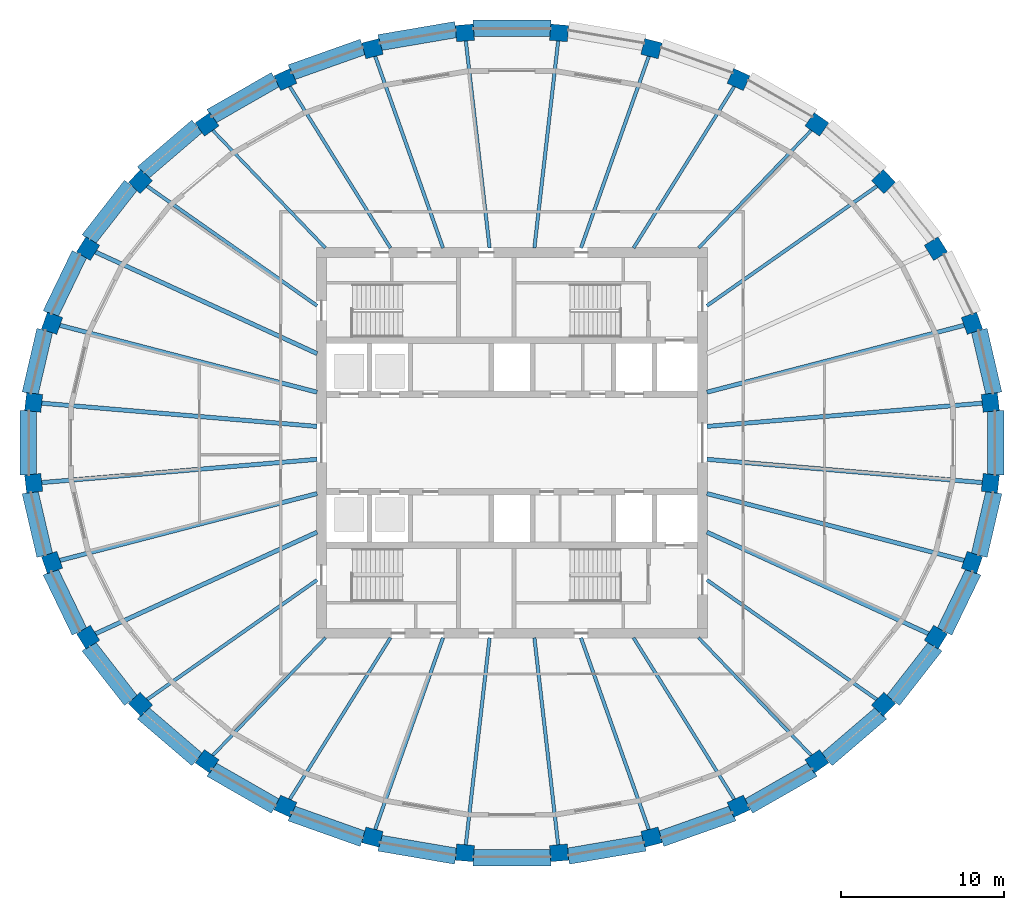
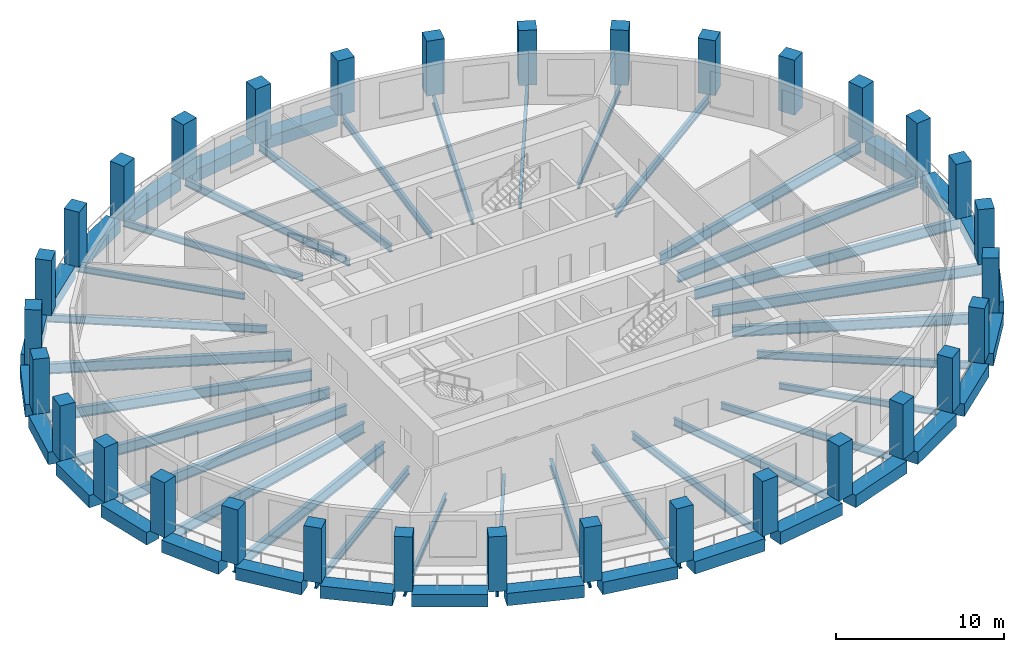
# One storey, part 1 of 10: 57 beams, 32 columns.
"""IFC4 building model written with IfcOpenShell, lengths in metres."""

from ifc_helpers import new_model, si_unit, direction, frame, origin, origin_2d, place, context, subcontext, project, spatial, rectangle, i_section, extrude, material, material_profile, profile_set, type_object, element, save


model = new_model("IFC4")

# Units and contexts
model_context = context("Model", 3, precision=1e-05, world=origin(), true_north=direction((0.0, 1.0)))
body_context = subcontext(model_context, "Body", "Model", "MODEL_VIEW")
ifc_project = project(units=[si_unit("LENGTHUNIT", "METRE"), si_unit("AREAUNIT", "SQUARE_METRE"), si_unit("VOLUMEUNIT", "CUBIC_METRE"), si_unit("PLANEANGLEUNIT", "RADIAN"), si_unit("MASSUNIT", "GRAM", prefix="KILO")], contexts=[model_context])

# Site, building, storey
site_placement = place(None, origin())
site = spatial("IfcSite", under=ifc_project, at=site_placement, CompositionType="ELEMENT")
building_placement = place(site_placement, origin())
building = spatial("IfcBuilding", under=site, at=building_placement, Name="Halqa Exchange Tower", CompositionType="ELEMENT")
storey_placement = place(building_placement, frame((0.0, 0.0, 276.300048828125)))
storey = spatial("IfcBuildingStorey", under=building, at=storey_placement, Name="L64", CompositionType="ELEMENT", Elevation=276.300048828125)

# Columns
ifc_material_1 = material(Name="Concrete C60/75", Category="concrete")
ifc_material_profile_1 = material_profile(ifc_material_1, rectangle(XDim=1.10009765625, YDim=1.0, at=origin_2d()), Name="1100 x 1000")
ifc_profile_set_1 = profile_set([ifc_material_profile_1], Name="Concrete C60/75")
column_type = type_object("IfcColumnType", Name="RC ring column 1100 x 1000 C60/75", PredefinedType="COLUMN", material=ifc_profile_set_1)
for number, where, z_axis, x_axis, name in (
    (1, (29.384033203125, 2.480712890625, 0.0), (0.0, 0.0, 1.0), (-0.114155188058, 0.993462929877, 0.0), "Ring column 1"),
    (2, (28.2548828125, 7.3466796875, 0.0), (0.0, 0.0, 1.0), (-0.333619297574, 0.942707889161, 0.0), "Ring column 2"),
    (3, (26.039794921875, 11.930419921875, 0.0), (0.0, 0.0, 1.0), (-0.529143458197, 0.848532380435, 0.0), "Ring column 3"),
    (4, (22.82421875, 16.055419921875, 0.0), (0.0, 0.0, 1.0), (-0.691577351953, 0.722302406382, 0.0), "Ring column 4"),
    (5, (18.731201171875, 19.563720703125, 0.0), (0.0, 0.0, 1.0), (-0.817906779671, 0.575350762377, 0.0), "Ring column 5"),
    (6, (13.918701171875, 22.31982421875, 0.0), (0.0, 0.0, 1.0), (-0.909129276708, 0.416514055265, 0.0), "Ring column 6"),
    (7, (8.571044921875, 24.218505859375, 0.0), (0.0, 0.0, 1.0), (-0.967819942774, 0.251643713153, 0.0), "Ring column 7"),
    (8, (2.89404296875, 25.186279296875, 0.0), (0.0, 0.0, 1.0), (-0.996455518985, 0.084121333105, 0.0), "Ring column 8"),
    (9, (-2.89404296875, 25.186279296875, 0.0), (0.0, 0.0, 1.0), (-0.996455518985, -0.084121333105, 0.0), "Ring column 9"),
    (10, (-8.571044921875, 24.218505859375, 0.0), (0.0, 0.0, 1.0), (-0.967819942774, -0.251643713153, 0.0), "Ring column 10"),
    (11, (-13.918701171875, 22.31982421875, 0.0), (0.0, 0.0, 1.0), (-0.909129276708, -0.416514055265, 0.0), "Ring column 11"),
    (12, (-18.731201171875, 19.563720703125, 0.0), (0.0, 0.0, 1.0), (-0.817906779671, -0.575350762377, 0.0), "Ring column 12"),
    (13, (-22.82421875, 16.055419921875, 0.0), (0.0, 0.0, 1.0), (-0.691577351953, -0.722302406382, 0.0), "Ring column 13"),
    (14, (-26.039794921875, 11.930419921875, 0.0), (0.0, 0.0, 1.0), (-0.529143458197, -0.848532380435, 0.0), "Ring column 14"),
    (15, (-28.2548828125, 7.3466796875, 0.0), (0.0, 0.0, 1.0), (-0.333619297574, -0.942707889161, 0.0), "Ring column 15"),
    (16, (-29.384033203125, 2.480712890625, 0.0), (0.0, 0.0, 1.0), (-0.114155188058, -0.993462929877, 0.0), "Ring column 16"),
    (17, (-29.384033203125, -2.480712890625, 0.0), (0.0, 0.0, 1.0), (0.114155188058, -0.993462929877, 0.0), "Ring column 17"),
    (18, (-28.2548828125, -7.3466796875, 0.0), (0.0, 0.0, 1.0), (0.333619297574, -0.942707889161, 0.0), "Ring column 18"),
    (19, (-26.039794921875, -11.930419921875, 0.0), (0.0, 0.0, 1.0), (0.529143458197, -0.848532380435, 0.0), "Ring column 19"),
    (20, (-22.82421875, -16.055419921875, 0.0), (0.0, 0.0, 1.0), (0.691577351953, -0.722302406382, 0.0), "Ring column 20"),
    (21, (-18.731201171875, -19.563720703125, 0.0), (0.0, 0.0, 1.0), (0.817906779671, -0.575350762377, 0.0), "Ring column 21"),
    (22, (-13.918701171875, -22.31982421875, 0.0), (0.0, 0.0, 1.0), (0.909129276708, -0.416514055265, 0.0), "Ring column 22"),
    (23, (-8.571044921875, -24.218505859375, 0.0), (0.0, 0.0, 1.0), (0.967819942774, -0.251643713153, 0.0), "Ring column 23"),
    (24, (-2.89404296875, -25.186279296875, 0.0), (0.0, 0.0, 1.0), (0.996455518985, -0.084121333105, 0.0), "Ring column 24"),
    (25, (2.89404296875, -25.186279296875, 0.0), (0.0, 0.0, 1.0), (0.996455518985, 0.084121333105, 0.0), "Ring column 25"),
    (26, (8.571044921875, -24.218505859375, 0.0), (0.0, 0.0, 1.0), (0.967819942774, 0.251643713153, 0.0), "Ring column 26"),
    (27, (13.918701171875, -22.31982421875, 0.0), (0.0, 0.0, 1.0), (0.909129276708, 0.416514055265, 0.0), "Ring column 27"),
    (28, (18.731201171875, -19.563720703125, 0.0), (0.0, 0.0, 1.0), (0.817906779671, 0.575350762377, 0.0), "Ring column 28"),
    (29, (22.82421875, -16.055419921875, 0.0), (0.0, 0.0, 1.0), (0.691577351953, 0.722302406382, 0.0), "Ring column 29"),
    (30, (26.039794921875, -11.930419921875, 0.0), (0.0, 0.0, 1.0), (0.529143458197, 0.848532380435, 0.0), "Ring column 30"),
    (31, (28.2548828125, -7.3466796875, 0.0), (0.0, 0.0, 1.0), (0.333619297574, 0.942707889161, 0.0), "Ring column 31"),
    (32, (29.384033203125, -2.480712890625, 0.0), (0.0, 0.0, 1.0), (0.114155188058, 0.993462929877, 0.0), "Ring column 32"),
):
    element("IfcColumn", number, at=place(storey_placement, frame(where, z_axis=z_axis, x_axis=x_axis)), inside=storey, type_object=column_type, Name=name, PredefinedType="COLUMN", context=body_context, shape_type="SweptSolid", body=[
        extrude(rectangle(XDim=1.10009765625, YDim=1.0, at=origin_2d()), origin(), (0.0, 0.0, 1.0), 4.0),
    ])

# Beams
ifc_material_2 = material(Name="Steel S355", Category="steel")
ifc_material_profile_2 = material_profile(ifc_material_2, i_section(OverallWidth=0.18994140625, OverallDepth=0.449951171875, WebThickness=0.009521484375, FlangeThickness=0.0146484375, FilletRadius=0.02099609375, at=origin_2d()), Name="IPE 450")
ifc_profile_set_2 = profile_set([ifc_material_profile_2], Name="Steel S355")
beam_type_1 = type_object("IfcBeamType", Name="Floor beam IPE 450", PredefinedType="BEAM", material=ifc_profile_set_2)
for number, where, z_axis, x_axis, name in (
    (33, (11.462890625, 11.97216796875, -0.525146484375), (0.6915753901, 0.722304284778, 0.0), (-0.722304284778, 0.6915753901, 0.0), "Radial beam 5"),
    (34, (-11.462890625, 11.97216796875, -0.525146484375), (-0.6915753901, 0.722304284778, 0.0), (-0.722304284778, -0.6915753901, 0.0), "Radial beam 12"),
    (35, (-11.462890625, -11.97216796875, -0.525146484375), (-0.6915753901, -0.722304284778, 0.0), (0.722304284778, -0.6915753901, 0.0), "Radial beam 21"),
    (36, (11.462890625, -11.97216796875, -0.525146484375), (0.6915753901, -0.722304284778, 0.0), (0.722304284778, 0.6915753901, 0.0), "Radial beam 28"),
):
    element("IfcBeam", number, at=place(storey_placement, frame(where, z_axis=z_axis, x_axis=x_axis)), inside=storey, type_object=beam_type_1, Name=name, PredefinedType="BEAM", context=body_context, shape_type="SweptSolid", body=[
        extrude(i_section(OverallWidth=0.18994140625, OverallDepth=0.449951171875, WebThickness=0.009521484375, FlangeThickness=0.0146484375, FilletRadius=0.02099609375, at=origin_2d()), origin(), (0.0, 0.0, 1.0), 10.44775390625),
    ])
ifc_material_profile_3 = material_profile(ifc_material_2, i_section(OverallWidth=0.199951171875, OverallDepth=0.5, WebThickness=0.01025390625, FlangeThickness=0.01611328125, FilletRadius=0.02099609375, at=origin_2d()), Name="IPE 500")
ifc_profile_set_3 = profile_set([ifc_material_profile_3], Name="Steel S355")
beam_type_2 = type_object("IfcBeamType", Name="Floor beam IPE 500", PredefinedType="BEAM", material=ifc_profile_set_3)
for number, where, z_axis, x_axis, name in (
    (37, (7.4658203125, 11.97216796875, -0.550048828125), (0.529135237944, 0.848537506517, 0.0), (-0.848537506517, 0.529135237944, 0.0), "Radial beam 6"),
    (38, (-7.4658203125, 11.97216796875, -0.550048828125), (-0.529135237944, 0.848537506517, 0.0), (-0.848537506517, -0.529135237944, 0.0), "Radial beam 11"),
    (39, (-7.4658203125, -11.97216796875, -0.550048828125), (-0.529135237944, -0.848537506517, 0.0), (0.848537506517, -0.529135237944, 0.0), "Radial beam 22"),
    (40, (7.4658203125, -11.97216796875, -0.550048828125), (0.529135237944, -0.848537506517, 0.0), (0.848537506517, 0.529135237944, 0.0), "Radial beam 27"),
):
    element("IfcBeam", number, at=place(storey_placement, frame(where, z_axis=z_axis, x_axis=x_axis)), inside=storey, type_object=beam_type_2, Name=name, PredefinedType="BEAM", context=body_context, shape_type="SweptSolid", body=[
        extrude(i_section(OverallWidth=0.199951171875, OverallDepth=0.5, WebThickness=0.01025390625, FlangeThickness=0.01611328125, FilletRadius=0.02099609375, at=origin_2d()), origin(), (0.0, 0.0, 1.0), 12.12353515625),
    ])
ifc_material_profile_4 = material_profile(ifc_material_2, i_section(OverallWidth=0.2099609375, OverallDepth=0.550048828125, WebThickness=0.010986328125, FlangeThickness=0.01708984375, FilletRadius=0.02392578125, at=origin_2d()), Name="IPE 550")
ifc_profile_set_4 = profile_set([ifc_material_profile_4], Name="Steel S355")
beam_type_3 = type_object("IfcBeamType", Name="Floor beam IPE 550", PredefinedType="BEAM", material=ifc_profile_set_4)
beam_1_placement = place(storey_placement, frame((11.97265625, 8.422119140625, -0.574951171875), z_axis=(0.81790784974, 0.575349241187, 0.0), x_axis=(-0.575349241187, 0.81790784974, 0.0)))
element("IfcBeam", 41, at=beam_1_placement, inside=storey, type_object=beam_type_3, Name="Radial beam 4", PredefinedType="BEAM", context=body_context, shape_type="SweptSolid", body=[
    extrude(i_section(OverallWidth=0.2099609375, OverallDepth=0.550048828125, WebThickness=0.010986328125, FlangeThickness=0.01708984375, FilletRadius=0.02392578125, at=origin_2d()), origin(), (0.0, 0.0, 1.0), 13.214599609375),
])
beam_2_placement = place(storey_placement, frame((4.23681640625, 11.971923828125, -0.574951171875), z_axis=(0.333624916915, 0.942705900487, 0.0), x_axis=(-0.942705900487, 0.333624916915, 0.0)))
element("IfcBeam", 42, at=beam_2_placement, inside=storey, type_object=beam_type_3, Name="Radial beam 7", PredefinedType="BEAM", context=body_context, shape_type="SweptSolid", body=[
    extrude(i_section(OverallWidth=0.2099609375, OverallDepth=0.550048828125, WebThickness=0.010986328125, FlangeThickness=0.01708984375, FilletRadius=0.02392578125, at=origin_2d()), origin(), (0.0, 0.0, 1.0), 12.91455078125),
])
for number, where, z_axis, x_axis, name in (
    (43, (1.37548828125, 11.9716796875, -0.574951171875), (0.114155275755, 0.9934629198, 0.0), (-0.9934629198, 0.114155275755, 0.0), "Radial beam 8"),
    (44, (-1.37548828125, 11.9716796875, -0.574951171875), (-0.114155275755, 0.9934629198, 0.0), (-0.9934629198, -0.114155275755, 0.0), "Radial beam 9"),
):
    element("IfcBeam", number, at=place(storey_placement, frame(where, z_axis=z_axis, x_axis=x_axis)), inside=storey, type_object=beam_type_3, Name=name, PredefinedType="BEAM", context=body_context, shape_type="SweptSolid", body=[
        extrude(i_section(OverallWidth=0.2099609375, OverallDepth=0.550048828125, WebThickness=0.010986328125, FlangeThickness=0.01708984375, FilletRadius=0.02392578125, at=origin_2d()), origin(), (0.0, 0.0, 1.0), 13.223388671875),
    ])
beam_3_placement = place(storey_placement, frame((-4.23681640625, 11.971923828125, -0.574951171875), z_axis=(-0.333624916915, 0.942705900487, 0.0), x_axis=(-0.942705900487, -0.333624916915, 0.0)))
element("IfcBeam", 45, at=beam_3_placement, inside=storey, type_object=beam_type_3, Name="Radial beam 10", PredefinedType="BEAM", context=body_context, shape_type="SweptSolid", body=[
    extrude(i_section(OverallWidth=0.2099609375, OverallDepth=0.550048828125, WebThickness=0.010986328125, FlangeThickness=0.01708984375, FilletRadius=0.02392578125, at=origin_2d()), origin(), (0.0, 0.0, 1.0), 12.91455078125),
])
for number, where, z_axis, x_axis, name in (
    (46, (-11.97265625, 8.422119140625, -0.574951171875), (-0.81790784974, 0.575349241187, 0.0), (-0.575349241187, -0.81790784974, 0.0), "Radial beam 13"),
    (47, (-11.97265625, -8.422119140625, -0.574951171875), (-0.81790784974, -0.575349241187, 0.0), (0.575349241187, -0.81790784974, 0.0), "Radial beam 20"),
):
    element("IfcBeam", number, at=place(storey_placement, frame(where, z_axis=z_axis, x_axis=x_axis)), inside=storey, type_object=beam_type_3, Name=name, PredefinedType="BEAM", context=body_context, shape_type="SweptSolid", body=[
        extrude(i_section(OverallWidth=0.2099609375, OverallDepth=0.550048828125, WebThickness=0.010986328125, FlangeThickness=0.01708984375, FilletRadius=0.02392578125, at=origin_2d()), origin(), (0.0, 0.0, 1.0), 13.214599609375),
    ])
beam_4_placement = place(storey_placement, frame((-4.23681640625, -11.971923828125, -0.574951171875), z_axis=(-0.333624916915, -0.942705900487, 0.0), x_axis=(0.942705900487, -0.333624916915, 0.0)))
element("IfcBeam", 48, at=beam_4_placement, inside=storey, type_object=beam_type_3, Name="Radial beam 23", PredefinedType="BEAM", context=body_context, shape_type="SweptSolid", body=[
    extrude(i_section(OverallWidth=0.2099609375, OverallDepth=0.550048828125, WebThickness=0.010986328125, FlangeThickness=0.01708984375, FilletRadius=0.02392578125, at=origin_2d()), origin(), (0.0, 0.0, 1.0), 12.91455078125),
])
for number, where, z_axis, x_axis, name in (
    (49, (-1.37548828125, -11.9716796875, -0.574951171875), (-0.114155275755, -0.9934629198, 0.0), (0.9934629198, -0.114155275755, 0.0), "Radial beam 24"),
    (50, (1.37548828125, -11.9716796875, -0.574951171875), (0.114155275755, -0.9934629198, 0.0), (0.9934629198, 0.114155275755, 0.0), "Radial beam 25"),
):
    element("IfcBeam", number, at=place(storey_placement, frame(where, z_axis=z_axis, x_axis=x_axis)), inside=storey, type_object=beam_type_3, Name=name, PredefinedType="BEAM", context=body_context, shape_type="SweptSolid", body=[
        extrude(i_section(OverallWidth=0.2099609375, OverallDepth=0.550048828125, WebThickness=0.010986328125, FlangeThickness=0.01708984375, FilletRadius=0.02392578125, at=origin_2d()), origin(), (0.0, 0.0, 1.0), 13.223388671875),
    ])
beam_5_placement = place(storey_placement, frame((4.23681640625, -11.971923828125, -0.574951171875), z_axis=(0.333624916915, -0.942705900487, 0.0), x_axis=(0.942705900487, 0.333624916915, 0.0)))
element("IfcBeam", 51, at=beam_5_placement, inside=storey, type_object=beam_type_3, Name="Radial beam 26", PredefinedType="BEAM", context=body_context, shape_type="SweptSolid", body=[
    extrude(i_section(OverallWidth=0.2099609375, OverallDepth=0.550048828125, WebThickness=0.010986328125, FlangeThickness=0.01708984375, FilletRadius=0.02392578125, at=origin_2d()), origin(), (0.0, 0.0, 1.0), 12.91455078125),
])
beam_6_placement = place(storey_placement, frame((11.97265625, -8.422119140625, -0.574951171875), z_axis=(0.81790784974, -0.575349241187, 0.0), x_axis=(0.575349241187, 0.81790784974, 0.0)))
element("IfcBeam", 52, at=beam_6_placement, inside=storey, type_object=beam_type_3, Name="Radial beam 29", PredefinedType="BEAM", context=body_context, shape_type="SweptSolid", body=[
    extrude(i_section(OverallWidth=0.2099609375, OverallDepth=0.550048828125, WebThickness=0.010986328125, FlangeThickness=0.01708984375, FilletRadius=0.02392578125, at=origin_2d()), origin(), (0.0, 0.0, 1.0), 13.214599609375),
])
ifc_material_profile_5 = material_profile(ifc_material_2, i_section(OverallWidth=0.264892578125, OverallDepth=0.7529296875, WebThickness=0.01318359375, FlangeThickness=0.01708984375, FilletRadius=0.01708984375, at=origin_2d()), Name="IPE 750x147")
ifc_profile_set_5 = profile_set([ifc_material_profile_5], Name="Steel S355")
beam_type_4 = type_object("IfcBeamType", Name="Floor beam IPE 750x147", PredefinedType="BEAM", material=ifc_profile_set_5)
beam_7_placement = place(storey_placement, frame((11.972900390625, 1.0107421875, -0.676513671875), z_axis=(0.996455698419, 0.084119207612, 0.0), x_axis=(-0.084119207612, 0.996455698419, 0.0)))
element("IfcBeam", 53, at=beam_7_placement, inside=storey, type_object=beam_type_4, Name="Radial beam 1", PredefinedType="BEAM", context=body_context, shape_type="SweptSolid", body=[
    extrude(i_section(OverallWidth=0.264892578125, OverallDepth=0.7529296875, WebThickness=0.01318359375, FlangeThickness=0.01708984375, FilletRadius=0.01708984375, at=origin_2d()), origin(), (0.0, 0.0, 1.0), 17.44287109375),
])
beam_8_placement = place(storey_placement, frame((11.97265625, 3.113037109375, -0.676513671875), z_axis=(0.967818965, 0.251647473634, 0.0), x_axis=(-0.251647473634, 0.967818965, 0.0)))
element("IfcBeam", 54, at=beam_8_placement, inside=storey, type_object=beam_type_4, Name="Radial beam 2", PredefinedType="BEAM", context=body_context, shape_type="SweptSolid", body=[
    extrude(i_section(OverallWidth=0.264892578125, OverallDepth=0.7529296875, WebThickness=0.01318359375, FlangeThickness=0.01708984375, FilletRadius=0.01708984375, at=origin_2d()), origin(), (0.0, 0.0, 1.0), 16.787841796875),
])
beam_9_placement = place(storey_placement, frame((-11.972412109375, 5.485107421875, -0.676513671875), z_axis=(-0.909124745555, 0.416523945314, 0.0), x_axis=(-0.416523945314, -0.909124745555, 0.0)))
element("IfcBeam", 55, at=beam_9_placement, inside=storey, type_object=beam_type_4, Name="Radial beam 14", PredefinedType="BEAM", context=body_context, shape_type="SweptSolid", body=[
    extrude(i_section(OverallWidth=0.264892578125, OverallDepth=0.7529296875, WebThickness=0.01318359375, FlangeThickness=0.01708984375, FilletRadius=0.01708984375, at=origin_2d()), origin(), (0.0, 0.0, 1.0), 15.429443359375),
])
beam_10_placement = place(storey_placement, frame((-11.97265625, 3.113037109375, -0.676513671875), z_axis=(-0.967818965, 0.251647473634, 0.0), x_axis=(-0.251647473634, -0.967818965, 0.0)))
element("IfcBeam", 56, at=beam_10_placement, inside=storey, type_object=beam_type_4, Name="Radial beam 15", PredefinedType="BEAM", context=body_context, shape_type="SweptSolid", body=[
    extrude(i_section(OverallWidth=0.264892578125, OverallDepth=0.7529296875, WebThickness=0.01318359375, FlangeThickness=0.01708984375, FilletRadius=0.01708984375, at=origin_2d()), origin(), (0.0, 0.0, 1.0), 16.787841796875),
])
for number, where, z_axis, x_axis, name in (
    (57, (-11.972900390625, 1.0107421875, -0.676513671875), (-0.996455698419, 0.084119207612, 0.0), (-0.084119207612, -0.996455698419, 0.0), "Radial beam 16"),
    (58, (-11.972900390625, -1.0107421875, -0.676513671875), (-0.996455698419, -0.084119207612, 0.0), (0.084119207612, -0.996455698419, 0.0), "Radial beam 17"),
):
    element("IfcBeam", number, at=place(storey_placement, frame(where, z_axis=z_axis, x_axis=x_axis)), inside=storey, type_object=beam_type_4, Name=name, PredefinedType="BEAM", context=body_context, shape_type="SweptSolid", body=[
        extrude(i_section(OverallWidth=0.264892578125, OverallDepth=0.7529296875, WebThickness=0.01318359375, FlangeThickness=0.01708984375, FilletRadius=0.01708984375, at=origin_2d()), origin(), (0.0, 0.0, 1.0), 17.44287109375),
    ])
beam_11_placement = place(storey_placement, frame((-11.97265625, -3.113037109375, -0.676513671875), z_axis=(-0.967818965, -0.251647473634, 0.0), x_axis=(0.251647473634, -0.967818965, 0.0)))
element("IfcBeam", 59, at=beam_11_placement, inside=storey, type_object=beam_type_4, Name="Radial beam 18", PredefinedType="BEAM", context=body_context, shape_type="SweptSolid", body=[
    extrude(i_section(OverallWidth=0.264892578125, OverallDepth=0.7529296875, WebThickness=0.01318359375, FlangeThickness=0.01708984375, FilletRadius=0.01708984375, at=origin_2d()), origin(), (0.0, 0.0, 1.0), 16.787841796875),
])
for number, where, z_axis, x_axis, name in (
    (60, (-11.972412109375, -5.485107421875, -0.676513671875), (-0.909124745555, -0.416523945314, 0.0), (0.416523945314, -0.909124745555, 0.0), "Radial beam 19"),
    (61, (11.972412109375, -5.485107421875, -0.676513671875), (0.909124745555, -0.416523945314, 0.0), (0.416523945314, 0.909124745555, 0.0), "Radial beam 30"),
):
    element("IfcBeam", number, at=place(storey_placement, frame(where, z_axis=z_axis, x_axis=x_axis)), inside=storey, type_object=beam_type_4, Name=name, PredefinedType="BEAM", context=body_context, shape_type="SweptSolid", body=[
        extrude(i_section(OverallWidth=0.264892578125, OverallDepth=0.7529296875, WebThickness=0.01318359375, FlangeThickness=0.01708984375, FilletRadius=0.01708984375, at=origin_2d()), origin(), (0.0, 0.0, 1.0), 15.429443359375),
    ])
beam_12_placement = place(storey_placement, frame((11.97265625, -3.113037109375, -0.676513671875), z_axis=(0.967818965, -0.251647473634, 0.0), x_axis=(0.251647473634, 0.967818965, 0.0)))
element("IfcBeam", 62, at=beam_12_placement, inside=storey, type_object=beam_type_4, Name="Radial beam 31", PredefinedType="BEAM", context=body_context, shape_type="SweptSolid", body=[
    extrude(i_section(OverallWidth=0.264892578125, OverallDepth=0.7529296875, WebThickness=0.01318359375, FlangeThickness=0.01708984375, FilletRadius=0.01708984375, at=origin_2d()), origin(), (0.0, 0.0, 1.0), 16.787841796875),
])
beam_13_placement = place(storey_placement, frame((11.972900390625, -1.0107421875, -0.676513671875), z_axis=(0.996455698419, -0.084119207612, 0.0), x_axis=(0.084119207612, 0.996455698419, 0.0)))
element("IfcBeam", 63, at=beam_13_placement, inside=storey, type_object=beam_type_4, Name="Radial beam 32", PredefinedType="BEAM", context=body_context, shape_type="SweptSolid", body=[
    extrude(i_section(OverallWidth=0.264892578125, OverallDepth=0.7529296875, WebThickness=0.01318359375, FlangeThickness=0.01708984375, FilletRadius=0.01708984375, at=origin_2d()), origin(), (0.0, 0.0, 1.0), 17.44287109375),
])
ifc_material_profile_6 = material_profile(ifc_material_1, rectangle(XDim=1.0, YDim=0.89990234375, at=origin_2d()), Name="1000 x 900")
ifc_profile_set_6 = profile_set([ifc_material_profile_6], Name="Concrete C60/75")
beam_type_5 = type_object("IfcBeamType", Name="RC spandrel beam 1000 x 900 C60/75", PredefinedType="SPANDREL", material=ifc_profile_set_6)
beam_14_placement = place(storey_placement, frame((29.60595703125, 3.0205078125, -0.449951171875), z_axis=(-0.226066657828, 0.974111834554, 0.0), x_axis=(-0.974111834554, -0.226066657828, 0.0)))
element("IfcBeam", 64, at=beam_14_placement, inside=storey, type_object=beam_type_5, Name="Spandrel 1", PredefinedType="SPANDREL", context=body_context, shape_type="SweptSolid", body=[
    extrude(rectangle(XDim=1.0, YDim=0.89990234375, at=origin_2d()), origin(), (0.0, 0.0, 1.0), 4.002197265625),
])
beam_15_placement = place(storey_placement, frame((2.40380859375, 25.478271484375, -0.449951171875), z_axis=(-1.0, 0.0, 0.0), x_axis=(0.0, -1.0, 0.0)))
element("IfcBeam", 65, at=beam_15_placement, inside=storey, type_object=beam_type_5, Name="Spandrel 8", PredefinedType="SPANDREL", context=body_context, shape_type="SweptSolid", body=[
    extrude(rectangle(XDim=1.0, YDim=0.89990234375, at=origin_2d()), origin(), (0.0, 0.0, 1.0), 4.8076171875),
])
beam_16_placement = place(storey_placement, frame((-3.444091796875, 25.39013671875, -0.449951171875), z_axis=(-0.985773827322, -0.168077248215, 0.0), x_axis=(0.168077248215, -0.985773827322, 0.0)))
element("IfcBeam", 66, at=beam_16_placement, inside=storey, type_object=beam_type_5, Name="Spandrel 9", PredefinedType="SPANDREL", context=body_context, shape_type="SweptSolid", body=[
    extrude(rectangle(XDim=1.0, YDim=0.89990234375, at=origin_2d()), origin(), (0.0, 0.0, 1.0), 4.77734375),
])
beam_17_placement = place(storey_placement, frame((-9.164794921875, 24.323486328125, -0.449951171875), z_axis=(-0.942370071958, -0.334572335194, 0.0), x_axis=(0.334572335194, -0.942370071958, 0.0)))
element("IfcBeam", 67, at=beam_17_placement, inside=storey, type_object=beam_type_5, Name="Spandrel 10", PredefinedType="SPANDREL", context=body_context, shape_type="SweptSolid", body=[
    extrude(rectangle(XDim=1.0, YDim=0.89990234375, at=origin_2d()), origin(), (0.0, 0.0, 1.0), 4.692138671875),
])
beam_18_placement = place(storey_placement, frame((-14.53515625, 22.31787109375, -0.449951171875), z_axis=(-0.867728942601, -0.497037706992, 0.0), x_axis=(0.497037706992, -0.867728942601, 0.0)))
element("IfcBeam", 68, at=beam_18_placement, inside=storey, type_object=beam_type_5, Name="Spandrel 11", PredefinedType="SPANDREL", context=body_context, shape_type="SweptSolid", body=[
    extrude(rectangle(XDim=1.0, YDim=0.89990234375, at=origin_2d()), origin(), (0.0, 0.0, 1.0), 4.562255859375),
])
beam_19_placement = place(storey_placement, frame((-19.3466796875, 19.44873046875, -0.449951171875), z_axis=(-0.759264428132, -0.650782243284, 0.0), x_axis=(0.650782243284, -0.759264428132, 0.0)))
element("IfcBeam", 69, at=beam_19_placement, inside=storey, type_object=beam_type_5, Name="Spandrel 12", PredefinedType="SPANDREL", context=body_context, shape_type="SweptSolid", body=[
    extrude(rectangle(XDim=1.0, YDim=0.89990234375, at=origin_2d()), origin(), (0.0, 0.0, 1.0), 4.404296875),
])
beam_20_placement = place(storey_placement, frame((-23.41162109375, 15.826904296875, -0.449951171875), z_axis=(-0.614844941027, -0.788648019394, 0.0), x_axis=(0.788648019394, -0.614844941027, 0.0)))
element("IfcBeam", 70, at=beam_20_placement, inside=storey, type_object=beam_type_5, Name="Spandrel 13", PredefinedType="SPANDREL", context=body_context, shape_type="SweptSolid", body=[
    extrude(rectangle(XDim=1.0, YDim=0.89990234375, at=origin_2d()), origin(), (0.0, 0.0, 1.0), 4.24072265625),
])
beam_21_placement = place(storey_placement, frame((-26.570556640625, 11.594970703125, -0.449951171875), z_axis=(-0.43506886732, -0.90039717941, 0.0), x_axis=(0.90039717941, -0.43506886732, 0.0)))
element("IfcBeam", 71, at=beam_21_placement, inside=storey, type_object=beam_type_5, Name="Spandrel 14", PredefinedType="SPANDREL", context=body_context, shape_type="SweptSolid", body=[
    extrude(rectangle(XDim=1.0, YDim=0.89990234375, at=origin_2d()), origin(), (0.0, 0.0, 1.0), 4.0986328125),
])
beam_22_placement = place(storey_placement, frame((-28.701171875, 6.919189453125, -0.449951171875), z_axis=(-0.226066657828, -0.974111834554, 0.0), x_axis=(0.974111834554, -0.226066657828, 0.0)))
element("IfcBeam", 72, at=beam_22_placement, inside=storey, type_object=beam_type_5, Name="Spandrel 15", PredefinedType="SPANDREL", context=body_context, shape_type="SweptSolid", body=[
    extrude(rectangle(XDim=1.0, YDim=0.89990234375, at=origin_2d()), origin(), (0.0, 0.0, 1.0), 4.002197265625),
])
beam_23_placement = place(storey_placement, frame((-29.724609375, 1.984375, -0.449951171875), z_axis=(0.0, -1.0, 0.0), x_axis=(1.0, 0.0, 0.0)))
element("IfcBeam", 73, at=beam_23_placement, inside=storey, type_object=beam_type_5, Name="Spandrel 16", PredefinedType="SPANDREL", context=body_context, shape_type="SweptSolid", body=[
    extrude(rectangle(XDim=1.0, YDim=0.89990234375, at=origin_2d()), origin(), (0.0, 0.0, 1.0), 3.96875),
])
beam_24_placement = place(storey_placement, frame((-29.60595703125, -3.0205078125, -0.449951171875), z_axis=(0.226066657828, -0.974111834554, 0.0), x_axis=(0.974111834554, 0.226066657828, 0.0)))
element("IfcBeam", 74, at=beam_24_placement, inside=storey, type_object=beam_type_5, Name="Spandrel 17", PredefinedType="SPANDREL", context=body_context, shape_type="SweptSolid", body=[
    extrude(rectangle(XDim=1.0, YDim=0.89990234375, at=origin_2d()), origin(), (0.0, 0.0, 1.0), 4.002197265625),
])
beam_25_placement = place(storey_placement, frame((-28.353759765625, -7.904541015625, -0.449951171875), z_axis=(0.43506886732, -0.90039717941, 0.0), x_axis=(0.90039717941, 0.43506886732, 0.0)))
element("IfcBeam", 75, at=beam_25_placement, inside=storey, type_object=beam_type_5, Name="Spandrel 18", PredefinedType="SPANDREL", context=body_context, shape_type="SweptSolid", body=[
    extrude(rectangle(XDim=1.0, YDim=0.89990234375, at=origin_2d()), origin(), (0.0, 0.0, 1.0), 4.0986328125),
])
beam_26_placement = place(storey_placement, frame((-26.01904296875, -12.482421875, -0.449951171875), z_axis=(0.614844941027, -0.788648019394, 0.0), x_axis=(0.788648019394, 0.614844941027, 0.0)))
element("IfcBeam", 76, at=beam_26_placement, inside=storey, type_object=beam_type_5, Name="Spandrel 19", PredefinedType="SPANDREL", context=body_context, shape_type="SweptSolid", body=[
    extrude(rectangle(XDim=1.0, YDim=0.89990234375, at=origin_2d()), origin(), (0.0, 0.0, 1.0), 4.24072265625),
])
beam_27_placement = place(storey_placement, frame((-22.690673828125, -16.58251953125, -0.449951171875), z_axis=(0.759264428132, -0.650782243284, 0.0), x_axis=(0.650782243284, 0.759264428132, 0.0)))
element("IfcBeam", 77, at=beam_27_placement, inside=storey, type_object=beam_type_5, Name="Spandrel 20", PredefinedType="SPANDREL", context=body_context, shape_type="SweptSolid", body=[
    extrude(rectangle(XDim=1.0, YDim=0.89990234375, at=origin_2d()), origin(), (0.0, 0.0, 1.0), 4.404296875),
])
beam_28_placement = place(storey_placement, frame((-18.493896484375, -20.05029296875, -0.449951171875), z_axis=(0.867728942601, -0.497037706992, 0.0), x_axis=(0.497037706992, 0.867728942601, 0.0)))
element("IfcBeam", 78, at=beam_28_placement, inside=storey, type_object=beam_type_5, Name="Spandrel 21", PredefinedType="SPANDREL", context=body_context, shape_type="SweptSolid", body=[
    extrude(rectangle(XDim=1.0, YDim=0.89990234375, at=origin_2d()), origin(), (0.0, 0.0, 1.0), 4.562255859375),
])
beam_29_placement = place(storey_placement, frame((-13.58642578125, -22.753662109375, -0.449951171875), z_axis=(0.942370071958, -0.334572335194, 0.0), x_axis=(0.334572335194, 0.942370071958, 0.0)))
element("IfcBeam", 79, at=beam_29_placement, inside=storey, type_object=beam_type_5, Name="Spandrel 22", PredefinedType="SPANDREL", context=body_context, shape_type="SweptSolid", body=[
    extrude(rectangle(XDim=1.0, YDim=0.89990234375, at=origin_2d()), origin(), (0.0, 0.0, 1.0), 4.692138671875),
])
beam_30_placement = place(storey_placement, frame((-8.153564453125, -24.587158203125, -0.449951171875), z_axis=(0.985773827322, -0.168077248215, 0.0), x_axis=(0.168077248215, 0.985773827322, 0.0)))
element("IfcBeam", 80, at=beam_30_placement, inside=storey, type_object=beam_type_5, Name="Spandrel 23", PredefinedType="SPANDREL", context=body_context, shape_type="SweptSolid", body=[
    extrude(rectangle(XDim=1.0, YDim=0.89990234375, at=origin_2d()), origin(), (0.0, 0.0, 1.0), 4.77734375),
])
beam_31_placement = place(storey_placement, frame((-2.40380859375, -25.478271484375, -0.449951171875), z_axis=(1.0, 0.0, 0.0), x_axis=(0.0, 1.0, 0.0)))
element("IfcBeam", 81, at=beam_31_placement, inside=storey, type_object=beam_type_5, Name="Spandrel 24", PredefinedType="SPANDREL", context=body_context, shape_type="SweptSolid", body=[
    extrude(rectangle(XDim=1.0, YDim=0.89990234375, at=origin_2d()), origin(), (0.0, 0.0, 1.0), 4.8076171875),
])
beam_32_placement = place(storey_placement, frame((3.444091796875, -25.39013671875, -0.449951171875), z_axis=(0.985773827322, 0.168077248215, 0.0), x_axis=(-0.168077248215, 0.985773827322, 0.0)))
element("IfcBeam", 82, at=beam_32_placement, inside=storey, type_object=beam_type_5, Name="Spandrel 25", PredefinedType="SPANDREL", context=body_context, shape_type="SweptSolid", body=[
    extrude(rectangle(XDim=1.0, YDim=0.89990234375, at=origin_2d()), origin(), (0.0, 0.0, 1.0), 4.77734375),
])
beam_33_placement = place(storey_placement, frame((9.164794921875, -24.323486328125, -0.449951171875), z_axis=(0.942370071958, 0.334572335194, 0.0), x_axis=(-0.334572335194, 0.942370071958, 0.0)))
element("IfcBeam", 83, at=beam_33_placement, inside=storey, type_object=beam_type_5, Name="Spandrel 26", PredefinedType="SPANDREL", context=body_context, shape_type="SweptSolid", body=[
    extrude(rectangle(XDim=1.0, YDim=0.89990234375, at=origin_2d()), origin(), (0.0, 0.0, 1.0), 4.692138671875),
])
beam_34_placement = place(storey_placement, frame((14.53515625, -22.31787109375, -0.449951171875), z_axis=(0.867728942601, 0.497037706992, 0.0), x_axis=(-0.497037706992, 0.867728942601, 0.0)))
element("IfcBeam", 84, at=beam_34_placement, inside=storey, type_object=beam_type_5, Name="Spandrel 27", PredefinedType="SPANDREL", context=body_context, shape_type="SweptSolid", body=[
    extrude(rectangle(XDim=1.0, YDim=0.89990234375, at=origin_2d()), origin(), (0.0, 0.0, 1.0), 4.562255859375),
])
beam_35_placement = place(storey_placement, frame((19.3466796875, -19.44873046875, -0.449951171875), z_axis=(0.759264428132, 0.650782243284, 0.0), x_axis=(-0.650782243284, 0.759264428132, 0.0)))
element("IfcBeam", 85, at=beam_35_placement, inside=storey, type_object=beam_type_5, Name="Spandrel 28", PredefinedType="SPANDREL", context=body_context, shape_type="SweptSolid", body=[
    extrude(rectangle(XDim=1.0, YDim=0.89990234375, at=origin_2d()), origin(), (0.0, 0.0, 1.0), 4.404296875),
])
beam_36_placement = place(storey_placement, frame((23.41162109375, -15.826904296875, -0.449951171875), z_axis=(0.614844941027, 0.788648019394, 0.0), x_axis=(-0.788648019394, 0.614844941027, 0.0)))
element("IfcBeam", 86, at=beam_36_placement, inside=storey, type_object=beam_type_5, Name="Spandrel 29", PredefinedType="SPANDREL", context=body_context, shape_type="SweptSolid", body=[
    extrude(rectangle(XDim=1.0, YDim=0.89990234375, at=origin_2d()), origin(), (0.0, 0.0, 1.0), 4.24072265625),
])
beam_37_placement = place(storey_placement, frame((26.570556640625, -11.594970703125, -0.449951171875), z_axis=(0.43506886732, 0.90039717941, 0.0), x_axis=(-0.90039717941, 0.43506886732, 0.0)))
element("IfcBeam", 87, at=beam_37_placement, inside=storey, type_object=beam_type_5, Name="Spandrel 30", PredefinedType="SPANDREL", context=body_context, shape_type="SweptSolid", body=[
    extrude(rectangle(XDim=1.0, YDim=0.89990234375, at=origin_2d()), origin(), (0.0, 0.0, 1.0), 4.0986328125),
])
beam_38_placement = place(storey_placement, frame((28.701171875, -6.919189453125, -0.449951171875), z_axis=(0.226066657828, 0.974111834554, 0.0), x_axis=(-0.974111834554, 0.226066657828, 0.0)))
element("IfcBeam", 88, at=beam_38_placement, inside=storey, type_object=beam_type_5, Name="Spandrel 31", PredefinedType="SPANDREL", context=body_context, shape_type="SweptSolid", body=[
    extrude(rectangle(XDim=1.0, YDim=0.89990234375, at=origin_2d()), origin(), (0.0, 0.0, 1.0), 4.002197265625),
])
beam_39_placement = place(storey_placement, frame((29.724609375, -1.984375, -0.449951171875), z_axis=(0.0, 1.0, 0.0), x_axis=(-1.0, 0.0, 0.0)))
element("IfcBeam", 89, at=beam_39_placement, inside=storey, type_object=beam_type_5, Name="Spandrel 32", PredefinedType="SPANDREL", context=body_context, shape_type="SweptSolid", body=[
    extrude(rectangle(XDim=1.0, YDim=0.89990234375, at=origin_2d()), origin(), (0.0, 0.0, 1.0), 3.96875),
])

save(model, "model.ifc")
